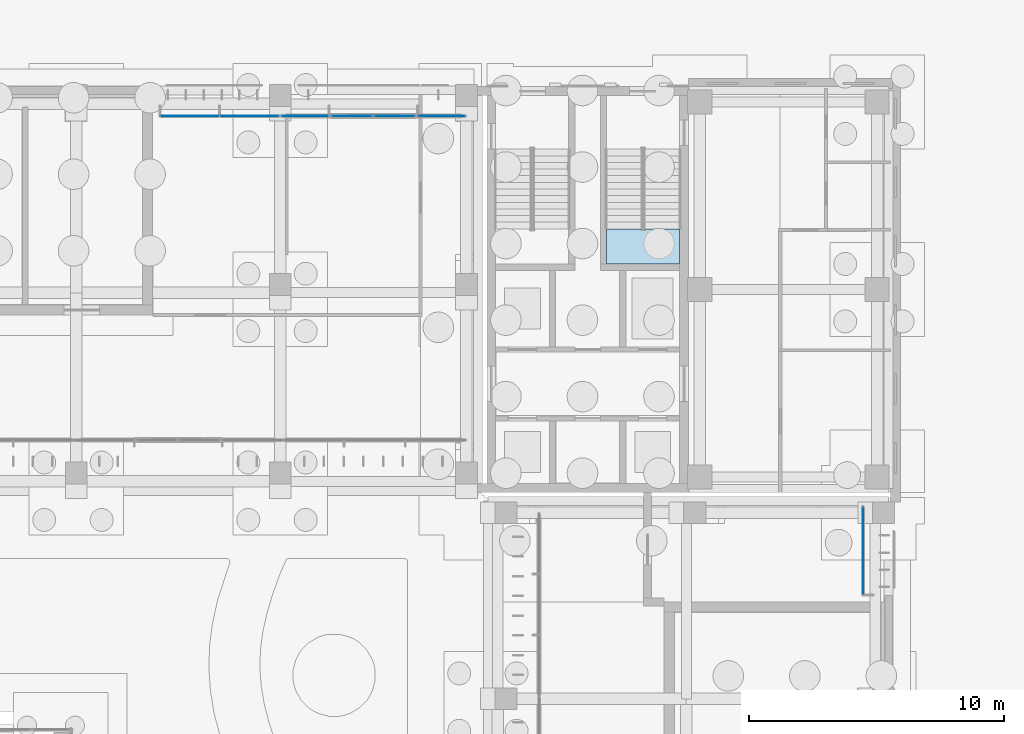
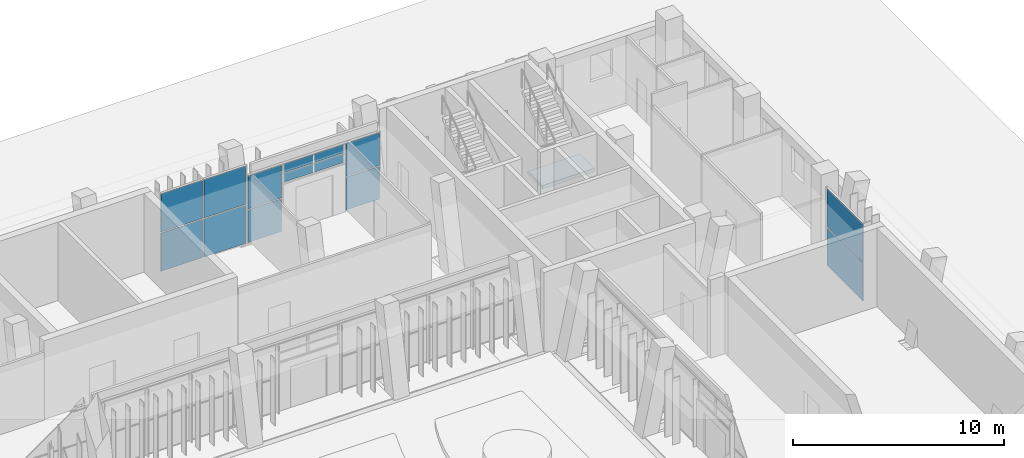
# One storey, part 101 of 144: 14 plates, 1 slab, 6 elements without a shape of their own.
"""IFC4 building model written with IfcOpenShell, lengths in metres."""

from ifc_helpers import new_model, si_unit, direction, frame, origin, origin_2d, place, context, subcontext, project, spatial, polyline, rectangle, outline, extrude, material, layer, layer_set, type_object, element, aggregate, save


model = new_model("IFC4")

# Units and contexts
model_context = context("Model", 3, precision=1e-05, world=origin(), true_north=direction((0.0, 1.0)))
body_context = subcontext(model_context, "Body", "Model", "MODEL_VIEW")
ifc_project = project(units=[si_unit("LENGTHUNIT", "METRE"), si_unit("AREAUNIT", "SQUARE_METRE"), si_unit("VOLUMEUNIT", "CUBIC_METRE"), si_unit("PLANEANGLEUNIT", "RADIAN"), si_unit("MASSUNIT", "GRAM", prefix="KILO")], contexts=[model_context])

# Site, building, storey
site_placement = place(None, origin())
site = spatial("IfcSite", under=ifc_project, at=site_placement, CompositionType="ELEMENT")
building_placement = place(site_placement, origin())
building = spatial("IfcBuilding", under=site, at=building_placement, Name="Lantern Court Media Centre", CompositionType="ELEMENT")
storey_placement = place(building_placement, origin())
storey = spatial("IfcBuildingStorey", under=building, at=storey_placement, Name="L00", CompositionType="ELEMENT", Elevation=0.0)

# Curtain wall, plates
ifc_material_1 = material(Name="Curtain wall bay 3000")
curtain_wall_type_1 = type_object("IfcCurtainWallType", Name="Curtain wall bay 3000", PredefinedType="NOTDEFINED", material=ifc_material_1)
curtain_wall_1_placement = place(storey_placement, origin())
curtain_wall_1 = element("IfcCurtainWall", 1, at=curtain_wall_1_placement, inside=storey, type_object=curtain_wall_type_1, Name="Curtain wall N outer L00", PredefinedType="NOTDEFINED")
ifc_material_2 = material(Name="Low-iron double glazed unit glass", Category="glass")
ifc_layer_1 = layer(ifc_material_2, 0.028076171875)
ifc_layer_set_1 = layer_set([ifc_layer_1], Name="Low-iron double glazed unit glass")
plate_type = type_object("IfcPlateType", Name="Curtain wall glazing unit 28", PredefinedType="CURTAIN_PANEL", material=ifc_layer_set_1)
plate_1_placement = place(storey_placement, frame((68.452392578125, 110.85009765625, 0.06005859375), z_axis=(0.0, 0.0, 1.0), x_axis=(1.0, 0.0, 0.0)))
plate_1 = element("IfcPlate", 2, at=plate_1_placement, type_object=plate_type, Name="CW1 panel 1.1", PredefinedType="CURTAIN_PANEL", context=body_context, shape_type="SweptSolid", body=[
    extrude(rectangle(XDim=2.284912109375, YDim=0.028076171875, at=origin_2d()), origin(), (0.0, 0.0, 1.0), 2.199951171875),
])
plate_2_placement = place(storey_placement, frame((68.452392578125, 110.85009765625, 2.31982421875), z_axis=(0.0, 0.0, 1.0), x_axis=(1.0, 0.0, 0.0)))
plate_2 = element("IfcPlate", 3, at=plate_2_placement, type_object=plate_type, Name="CW1 panel 1.2", PredefinedType="CURTAIN_PANEL", context=body_context, shape_type="SweptSolid", body=[
    extrude(rectangle(XDim=2.284912109375, YDim=0.028076171875, at=origin_2d()), origin(), (0.0, 0.0, 1.0), 2.199951171875),
])
plate_3_placement = place(storey_placement, frame((70.797607421875, 110.85009765625, 0.06005859375), z_axis=(0.0, 0.0, 1.0), x_axis=(1.0, 0.0, 0.0)))
plate_3 = element("IfcPlate", 4, at=plate_3_placement, type_object=plate_type, Name="CW1 panel 2.1", PredefinedType="CURTAIN_PANEL", context=body_context, shape_type="SweptSolid", body=[
    extrude(rectangle(XDim=2.284912109375, YDim=0.028076171875, at=origin_2d()), origin(), (0.0, 0.0, 1.0), 2.199951171875),
])
plate_4_placement = place(storey_placement, frame((70.797607421875, 110.85009765625, 2.31982421875), z_axis=(0.0, 0.0, 1.0), x_axis=(1.0, 0.0, 0.0)))
plate_4 = element("IfcPlate", 5, at=plate_4_placement, type_object=plate_type, Name="CW1 panel 2.2", PredefinedType="CURTAIN_PANEL", context=body_context, shape_type="SweptSolid", body=[
    extrude(rectangle(XDim=2.284912109375, YDim=0.028076171875, at=origin_2d()), origin(), (0.0, 0.0, 1.0), 2.199951171875),
])
aggregate(curtain_wall_1, [plate_1, plate_2, plate_3, plate_4])

curtain_wall_2_placement = place(storey_placement, origin())
curtain_wall_2 = element("IfcCurtainWall", 6, at=curtain_wall_2_placement, inside=storey, type_object=curtain_wall_type_1, Name="Curtain wall N outer L00", PredefinedType="NOTDEFINED")
plate_5_placement = place(storey_placement, frame((72.97509765625, 110.85009765625, 0.06005859375), z_axis=(0.0, 0.0, 1.0), x_axis=(1.0, 0.0, 0.0)))
plate_5 = element("IfcPlate", 7, at=plate_5_placement, type_object=plate_type, Name="CW1 panel 1.1", PredefinedType="CURTAIN_PANEL", context=body_context, shape_type="SweptSolid", body=[
    extrude(rectangle(XDim=1.830078125, YDim=0.028076171875, at=origin_2d()), origin(), (0.0, 0.0, 1.0), 1.885009765625),
])
plate_6_placement = place(storey_placement, frame((72.97509765625, 110.85009765625, 2.0048828125), z_axis=(0.0, 0.0, 1.0), x_axis=(1.0, 0.0, 0.0)))
plate_6 = element("IfcPlate", 8, at=plate_6_placement, type_object=plate_type, Name="CW1 panel 1.2", PredefinedType="CURTAIN_PANEL", context=body_context, shape_type="SweptSolid", body=[
    extrude(rectangle(XDim=1.830078125, YDim=0.028076171875, at=origin_2d()), origin(), (0.0, 0.0, 1.0), 1.885009765625),
])
aggregate(curtain_wall_2, [plate_5, plate_6])

curtain_wall_3_placement = place(storey_placement, origin())
curtain_wall_3 = element("IfcCurtainWall", 9, at=curtain_wall_3_placement, inside=storey, type_object=curtain_wall_type_1, Name="Curtain wall N outer L00", PredefinedType="NOTDEFINED")
plate_7_placement = place(storey_placement, frame((78.324951171875, 110.85009765625, 0.06005859375), z_axis=(0.0, 0.0, 1.0), x_axis=(1.0, 0.0, 0.0)))
plate_7 = element("IfcPlate", 10, at=plate_7_placement, type_object=plate_type, Name="CW1 panel 1.1", PredefinedType="CURTAIN_PANEL", context=body_context, shape_type="SweptSolid", body=[
    extrude(rectangle(XDim=1.830078125, YDim=0.028076171875, at=origin_2d()), origin(), (0.0, 0.0, 1.0), 1.885009765625),
])
plate_8_placement = place(storey_placement, frame((78.324951171875, 110.85009765625, 2.0048828125), z_axis=(0.0, 0.0, 1.0), x_axis=(1.0, 0.0, 0.0)))
plate_8 = element("IfcPlate", 11, at=plate_8_placement, type_object=plate_type, Name="CW1 panel 1.2", PredefinedType="CURTAIN_PANEL", context=body_context, shape_type="SweptSolid", body=[
    extrude(rectangle(XDim=1.830078125, YDim=0.028076171875, at=origin_2d()), origin(), (0.0, 0.0, 1.0), 1.885009765625),
])
aggregate(curtain_wall_3, [plate_7, plate_8])

ifc_material_3 = material(Name="Curtain wall bay 1700")
curtain_wall_type_2 = type_object("IfcCurtainWallType", Name="Curtain wall bay 1700", PredefinedType="NOTDEFINED", material=ifc_material_3)
curtain_wall_4_placement = place(storey_placement, origin())
curtain_wall_4 = element("IfcCurtainWall", 12, at=curtain_wall_4_placement, inside=storey, type_object=curtain_wall_type_2, Name="Curtain wall N outer L00", PredefinedType="NOTDEFINED")
plate_9_placement = place(storey_placement, frame((74.81494140625, 110.85009765625, 2.85986328125), z_axis=(0.0, 0.0, 1.0), x_axis=(1.0, 0.0, 0.0)))
plate_9 = element("IfcPlate", 13, at=plate_9_placement, type_object=plate_type, Name="CW4 panel 1.1", PredefinedType="CURTAIN_PANEL", context=body_context, shape_type="SweptSolid", body=[
    extrude(rectangle(XDim=1.610107421875, YDim=0.028076171875, at=origin_2d()), origin(), (0.0, 0.0, 1.0), 0.485107421875),
])
plate_10_placement = place(storey_placement, frame((74.81494140625, 110.85009765625, 3.40478515625), z_axis=(0.0, 0.0, 1.0), x_axis=(1.0, 0.0, 0.0)))
plate_10 = element("IfcPlate", 14, at=plate_10_placement, type_object=plate_type, Name="CW4 panel 1.2", PredefinedType="CURTAIN_PANEL", context=body_context, shape_type="SweptSolid", body=[
    extrude(rectangle(XDim=1.610107421875, YDim=0.028076171875, at=origin_2d()), origin(), (0.0, 0.0, 1.0), 0.485107421875),
])
plate_11_placement = place(storey_placement, frame((76.485107421875, 110.85009765625, 2.85986328125), z_axis=(0.0, 0.0, 1.0), x_axis=(1.0, 0.0, 0.0)))
plate_11 = element("IfcPlate", 15, at=plate_11_placement, type_object=plate_type, Name="CW4 panel 2.1", PredefinedType="CURTAIN_PANEL", context=body_context, shape_type="SweptSolid", body=[
    extrude(rectangle(XDim=1.610107421875, YDim=0.028076171875, at=origin_2d()), origin(), (0.0, 0.0, 1.0), 0.485107421875),
])
plate_12_placement = place(storey_placement, frame((76.485107421875, 110.85009765625, 3.40478515625), z_axis=(0.0, 0.0, 1.0), x_axis=(1.0, 0.0, 0.0)))
plate_12 = element("IfcPlate", 16, at=plate_12_placement, type_object=plate_type, Name="CW4 panel 2.2", PredefinedType="CURTAIN_PANEL", context=body_context, shape_type="SweptSolid", body=[
    extrude(rectangle(XDim=1.610107421875, YDim=0.028076171875, at=origin_2d()), origin(), (0.0, 0.0, 1.0), 0.485107421875),
])
aggregate(curtain_wall_4, [plate_9, plate_10, plate_11, plate_12])

curtain_wall_5_placement = place(storey_placement, origin())
curtain_wall_5 = element("IfcCurtainWall", 17, at=curtain_wall_5_placement, inside=storey, type_object=curtain_wall_type_1, Name="Curtain wall E outer L00", PredefinedType="NOTDEFINED")
plate_13_placement = place(storey_placement, frame((94.85009765625, 93.81494140625, 0.06005859375), z_axis=(0.0, 0.0, 1.0), x_axis=(0.0, 1.0, 0.0)))
plate_13 = element("IfcPlate", 18, at=plate_13_placement, type_object=plate_type, Name="CW1 panel 1.1", PredefinedType="CURTAIN_PANEL", context=body_context, shape_type="SweptSolid", body=[
    extrude(rectangle(XDim=3.409912109375, YDim=0.028076171875, at=origin_2d()), origin(), (0.0, 0.0, 1.0), 2.199951171875),
])
plate_14_placement = place(storey_placement, frame((94.85009765625, 93.81494140625, 2.31982421875), z_axis=(0.0, 0.0, 1.0), x_axis=(0.0, 1.0, 0.0)))
plate_14 = element("IfcPlate", 19, at=plate_14_placement, type_object=plate_type, Name="CW1 panel 1.2", PredefinedType="CURTAIN_PANEL", context=body_context, shape_type="SweptSolid", body=[
    extrude(rectangle(XDim=3.409912109375, YDim=0.028076171875, at=origin_2d()), origin(), (0.0, 0.0, 1.0), 2.199951171875),
])
aggregate(curtain_wall_5, [plate_13, plate_14])

# Stair, slab
ifc_material_4 = material(Name="Concrete C40", Category="concrete")
stair_type = type_object("IfcStairType", Name="Exit stair 1350", PredefinedType="HALF_TURN_STAIR", material=ifc_material_4)
stair_placement = place(storey_placement, origin())
stair = element("IfcStair", 20, at=stair_placement, inside=storey, type_object=stair_type, Name="L00 NE exit stair A", PredefinedType="HALF_TURN_STAIR")
ifc_layer_2 = layer(ifc_material_4, 0.199951171875)
ifc_layer_set_2 = layer_set([ifc_layer_2], Name="Concrete C40")
slab_type = type_object("IfcSlabType", Name="Stair landing RC 200", PredefinedType="LANDING", material=ifc_layer_set_2)
slab_placement = place(storey_placement, frame((0.0, 0.0, 2.199951171875)))
slab = element("IfcSlab", 21, at=slab_placement, type_object=slab_type, Name="ST-NEA landing 1", PredefinedType="LANDING", context=body_context, shape_type="SweptSolid", body=[
    extrude(outline(polyline([(84.800048828125, 106.429931640625), (84.800048828125, 105.050048828125), (87.64990234375, 105.050048828125), (87.64990234375, 106.429931640625), (84.800048828125, 106.429931640625)])), origin(), (0.0, 0.0, 1.0), 0.199951171875),
])
aggregate(stair, [slab])

save(model, "model.ifc")
